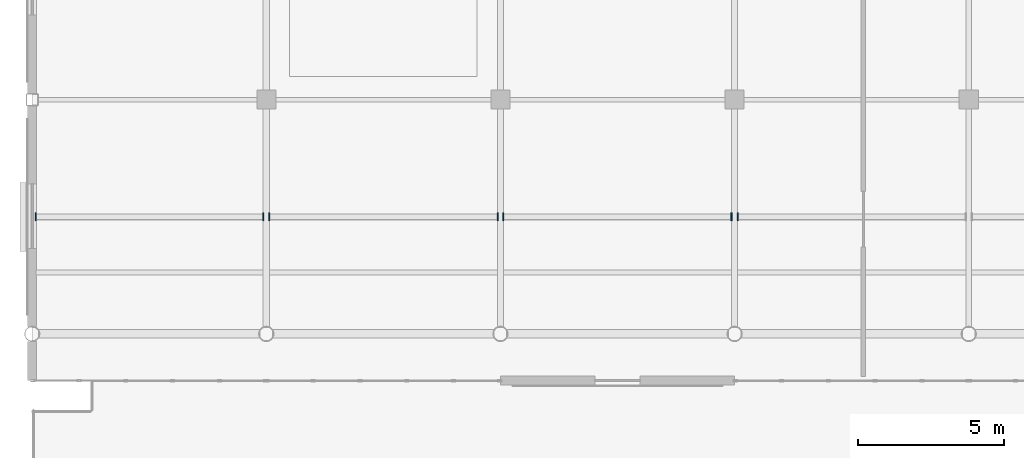
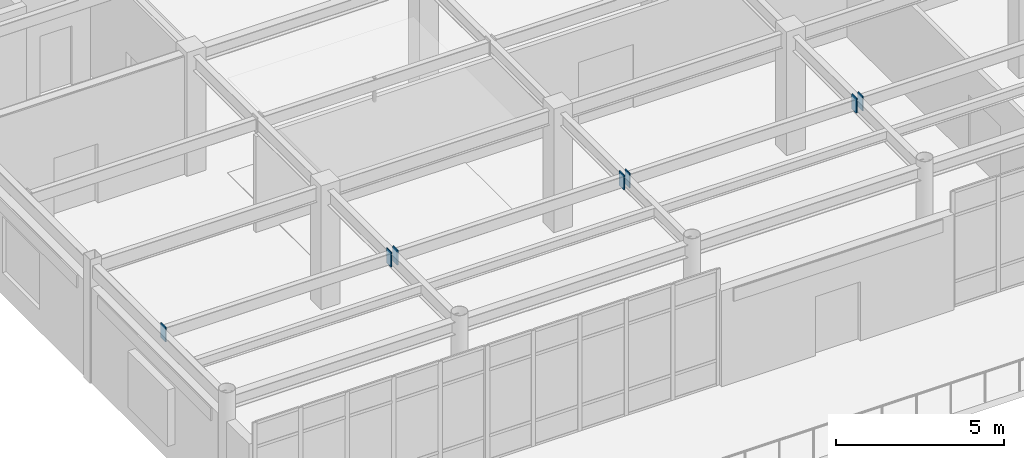
# One storey, part 71 of 93: 7 discrete accessories.
"""IFC4 building model written with IfcOpenShell, lengths in metres."""

from ifc_helpers import new_model, si_unit, direction, frame, origin, origin_2d, place, context, subcontext, project, spatial, rectangle, extrude, material, layer, layer_set, type_object, element, save


model = new_model("IFC4")

# Units and contexts
model_context = context("Model", 3, precision=1e-05, world=origin(), true_north=direction((0.0, 1.0)))
body_context = subcontext(model_context, "Body", "Model", "MODEL_VIEW")
ifc_project = project(units=[si_unit("LENGTHUNIT", "METRE"), si_unit("AREAUNIT", "SQUARE_METRE"), si_unit("VOLUMEUNIT", "CUBIC_METRE"), si_unit("PLANEANGLEUNIT", "RADIAN"), si_unit("MASSUNIT", "GRAM", prefix="KILO")], contexts=[model_context])

# Site, building, storey
site_placement = place(None, origin())
site = spatial("IfcSite", under=ifc_project, at=site_placement, CompositionType="ELEMENT")
building_placement = place(site_placement, origin())
building = spatial("IfcBuilding", under=site, at=building_placement, Name="Solmirada Galleria", CompositionType="ELEMENT")
storey_placement = place(building_placement, frame((0.0, 0.0, 14.89990234375)))
storey = spatial("IfcBuildingStorey", under=building, at=storey_placement, Name="L03", CompositionType="ELEMENT", Elevation=14.89990234375)

# Discrete accessories
ifc_material = material(Name="Steel S355 / ASTM A572 Grade 50", Category="steel")
ifc_layer = layer(ifc_material, 0.031982421875)
ifc_layer_set = layer_set([ifc_layer], Name="Steel S355 / ASTM A572 Grade 50")
discrete_accessory_type = type_object("IfcDiscreteAccessoryType", Name="ACC-COL-CAP", PredefinedType="BRACKET", material=ifc_layer_set)
for number, where, z_axis, x_axis, name in (
    (1, (40.126953125, 92.0, 3.787109375), (0.0, 0.0, 1.0), (1.0, 0.0, 0.0), "Hollow joist end plate L04-06-12-L"),
    (2, (47.89501953125, 92.0, 3.787109375), (0.0, 0.0, 1.0), (1.0, 0.0, 0.0), "Hollow joist end plate L04-06-12-R"),
    (3, (48.10498046875, 92.0, 3.787109375), (0.0, 0.0, 1.0), (1.0, 0.0, 0.0), "Hollow joist end plate L04-07-12-L"),
    (4, (55.903076171875, 92.0, 3.787109375), (0.0, 0.0, 1.0), (1.0, 0.0, 0.0), "Hollow joist end plate L04-07-12-R"),
    (5, (56.096923828125, 92.0, 3.787109375), (0.0, 0.0, 1.0), (1.0, 0.0, 0.0), "Hollow joist end plate L04-08-12-L"),
    (6, (63.89501953125, 92.0, 3.787109375), (0.0, 0.0, 1.0), (1.0, 0.0, 0.0), "Hollow joist end plate L04-08-12-R"),
    (7, (64.10498046875, 92.0, 3.787109375), (0.0, 0.0, 1.0), (1.0, 0.0, 0.0), "Hollow joist end plate L04-09-12-L"),
):
    element("IfcDiscreteAccessory", number, at=place(storey_placement, frame(where, z_axis=z_axis, x_axis=x_axis)), inside=storey, type_object=discrete_accessory_type, Name=name, PredefinedType="BRACKET", context=body_context, shape_type="SweptSolid", body=[
        extrude(rectangle(XDim=0.035888671875, YDim=0.280029296875, at=origin_2d()), origin(), (0.0, 0.0, 1.0), 0.5400390625),
    ])

save(model, "model.ifc")
